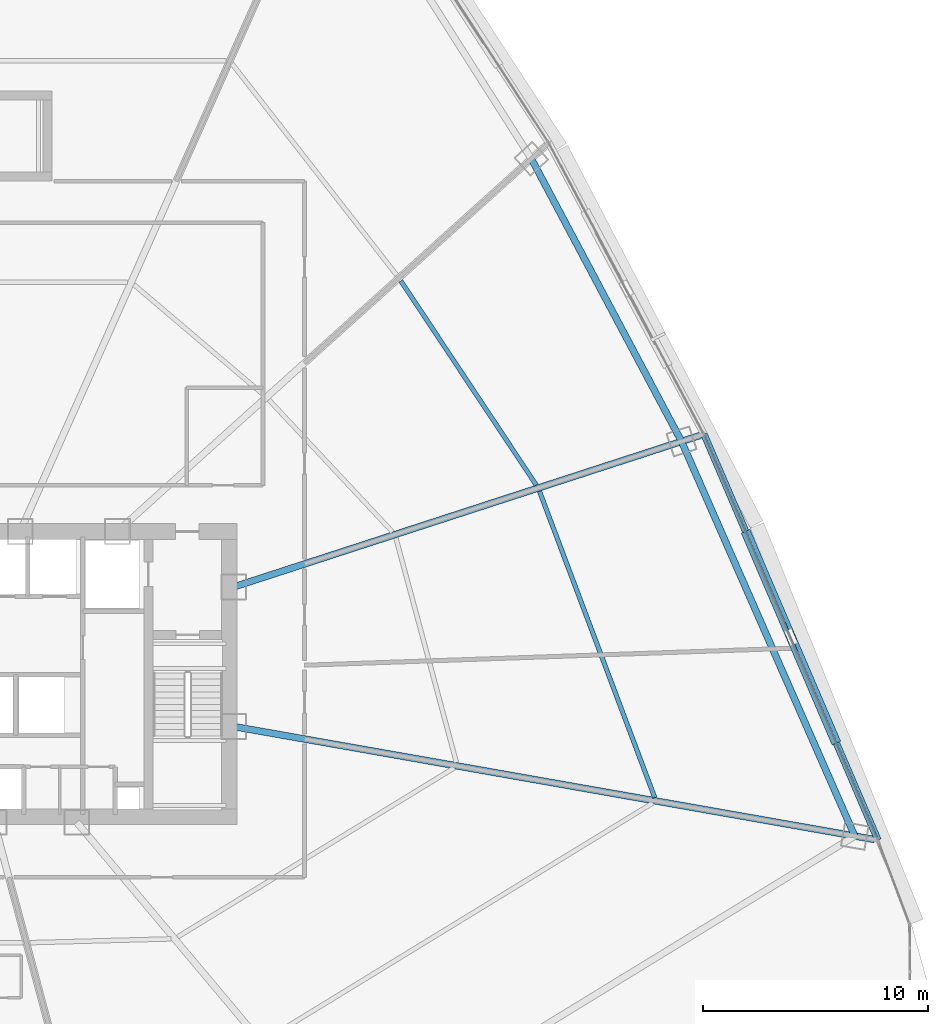
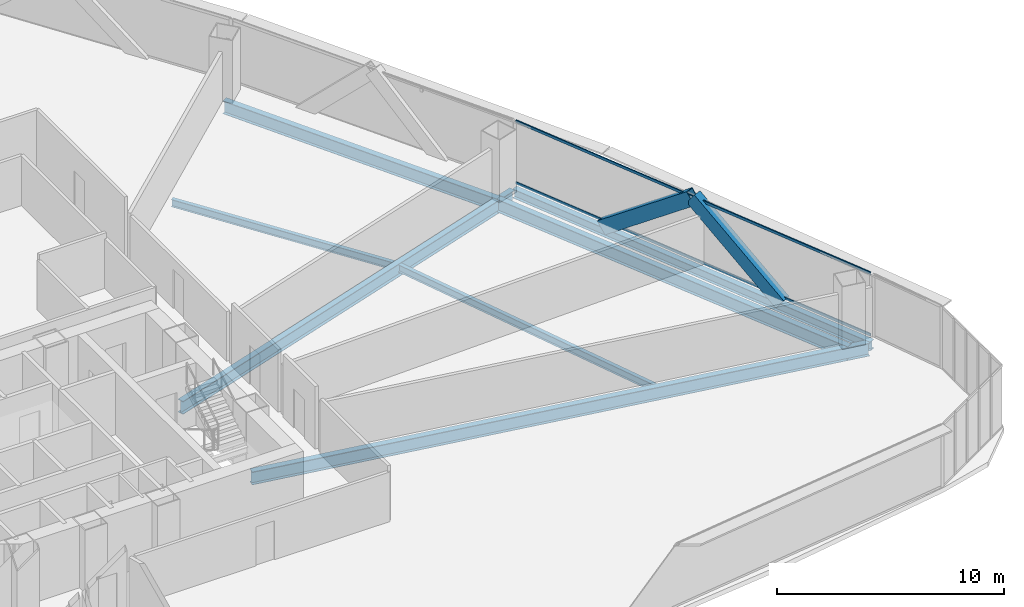
# One storey, part 23 of 40: 7 beams, 4 members, 1 element without a shape of its own.
"""IFC4 building model written with IfcOpenShell, lengths in metres."""

from ifc_helpers import new_model, si_unit, direction, frame, origin, origin_2d, place, context, subcontext, project, spatial, hollow_rectangle, i_section, extrude, source, transform, mapped, material, layer, layer_set, material_profile, profile_set, type_object, element, aggregate, save


model = new_model("IFC4")

# Units and contexts
model_context = context("Model", 3, precision=1e-05, world=origin(), true_north=direction((0.0, 1.0)))
body_context = subcontext(model_context, "Body", "Model", "MODEL_VIEW")
ifc_project = project(units=[si_unit("LENGTHUNIT", "METRE"), si_unit("AREAUNIT", "SQUARE_METRE"), si_unit("VOLUMEUNIT", "CUBIC_METRE"), si_unit("PLANEANGLEUNIT", "RADIAN"), si_unit("MASSUNIT", "GRAM", prefix="KILO"), si_unit("THERMODYNAMICTEMPERATUREUNIT", "KELVIN"), si_unit("POWERUNIT", "WATT")], contexts=[model_context])

# Site, building, storey
site_placement = place(None, origin())
site = spatial("IfcSite", under=ifc_project, at=site_placement, CompositionType="ELEMENT")
building_placement = place(site_placement, origin())
building = spatial("IfcBuilding", under=site, at=building_placement, Name="Yunzhuo Pagoda Commons", CompositionType="ELEMENT")
storey_placement = place(building_placement, frame((0.0, 0.0, 66.699951171875)))
storey = spatial("IfcBuildingStorey", under=building, at=storey_placement, Name="L17", CompositionType="ELEMENT", Elevation=66.699951171875)

# Beams
ifc_material_1 = material(Name="Structural steel Q355B", Category="steel")
ifc_material_profile_1 = material_profile(ifc_material_1, i_section(OverallWidth=0.300048828125, OverallDepth=0.699951171875, WebThickness=0.012939453125, FlangeThickness=0.02392578125, at=origin_2d()), Name="Structural steel Q355B")
ifc_profile_set_1 = profile_set([ifc_material_profile_1], Name="Structural steel Q355B")
beam_type_1 = type_object("IfcBeamType", Name="B-RG1 Beam HN 700x300x13x24", PredefinedType="BEAM", material=ifc_profile_set_1)
shared_shape_1 = source(origin(), body_context, "Body", "SweptSolid", [
    extrude(i_section(OverallWidth=0.300048828125, OverallDepth=0.699951171875, WebThickness=0.012939453125, FlangeThickness=0.02392578125, at=origin_2d()), origin(), (0.0, 0.0, 1.0), 19.18603515625),
])
beam_1_placement = place(storey_placement, frame((88.047607421875, 26.638427734375, -0.60986328125), z_axis=(-0.40196534204, 0.915654882474, 0.0), x_axis=(-0.915654882474, -0.40196534204, 0.0)))
element("IfcBeam", 1, at=beam_1_placement, inside=storey, type_object=beam_type_1, Name="L17 column-ring beam 5", PredefinedType="BEAM", context=body_context, shape_type="MappedRepresentation", body=[
    mapped(shared_shape_1, transform((0.0, 0.0, 0.0), scale=1.0)),
])
shared_shape_2 = source(origin(), body_context, "Body", "SweptSolid", [
    extrude(i_section(OverallWidth=0.300048828125, OverallDepth=0.699951171875, WebThickness=0.012939453125, FlangeThickness=0.02392578125, at=origin_2d()), origin(), (0.0, 0.0, 1.0), 14.25390625),
])
beam_2_placement = place(storey_placement, frame((80.33544921875, 44.206298828125, -0.60986328125), z_axis=(-0.469118073628, 0.883135455633, 0.0), x_axis=(-0.883135455633, -0.469118073628, 0.0)))
element("IfcBeam", 2, at=beam_2_placement, inside=storey, type_object=beam_type_1, Name="L17 column-ring beam 6", PredefinedType="BEAM", context=body_context, shape_type="MappedRepresentation", body=[
    mapped(shared_shape_2, transform((0.0, 0.0, 0.0), scale=1.0)),
])
ifc_material_profile_2 = material_profile(ifc_material_1, i_section(OverallWidth=0.199951171875, OverallDepth=0.39990234375, WebThickness=0.008056640625, FlangeThickness=0.012939453125, at=origin_2d()), Name="Structural steel Q355B")
ifc_profile_set_2 = profile_set([ifc_material_profile_2], Name="Structural steel Q355B")
beam_type_2 = type_object("IfcBeamType", Name="B-JS1 Joist HN 400x200x8x13", PredefinedType="JOIST", material=ifc_profile_set_2)
shared_shape_3 = source(origin(), body_context, "Body", "SweptSolid", [
    extrude(i_section(OverallWidth=0.199951171875, OverallDepth=0.39990234375, WebThickness=0.008056640625, FlangeThickness=0.012939453125, at=origin_2d()), origin(), (0.0, 0.0, 1.0), 14.571044921875),
])
beam_3_placement = place(storey_placement, frame((79.144287109375, 28.347412109375, -0.4599609375), z_axis=(-0.352208383632, 0.935921607027, 0.0), x_axis=(-0.935921607027, -0.352208383632, 0.0)))
element("IfcBeam", 3, at=beam_3_placement, inside=storey, type_object=beam_type_2, Name="L17 composite ring joist 2.5", PredefinedType="JOIST", context=body_context, shape_type="MappedRepresentation", body=[
    mapped(shared_shape_3, transform((0.0, 0.0, 0.0), scale=1.0)),
])
shared_shape_4 = source(origin(), body_context, "Body", "SweptSolid", [
    extrude(i_section(OverallWidth=0.199951171875, OverallDepth=0.39990234375, WebThickness=0.008056640625, FlangeThickness=0.012939453125, at=origin_2d()), origin(), (0.0, 0.0, 1.0), 10.904052734375),
])
beam_4_placement = place(storey_placement, frame((73.8681640625, 42.26611328125, -0.4599609375), z_axis=(-0.552916349928, 0.833236767061, 0.0), x_axis=(-0.833236767061, -0.552916349928, 0.0)))
element("IfcBeam", 4, at=beam_4_placement, inside=storey, type_object=beam_type_2, Name="L17 composite ring joist 2.6", PredefinedType="JOIST", context=body_context, shape_type="MappedRepresentation", body=[
    mapped(shared_shape_4, transform((0.0, 0.0, 0.0), scale=1.0)),
])
shared_shape_5 = source(origin(), body_context, "Body", "SweptSolid", [
    extrude(i_section(OverallWidth=0.300048828125, OverallDepth=0.699951171875, WebThickness=0.012939453125, FlangeThickness=0.02392578125, at=origin_2d()), origin(), (0.0, 0.0, 1.0), 28.96923828125),
])
beam_5_placement = place(storey_placement, frame((88.928955078125, 26.483154296875, -0.60986328125), z_axis=(-0.984808746464, 0.173642543427, 0.0), x_axis=(-0.173642543427, -0.984808746464, 0.0)))
element("IfcBeam", 5, at=beam_5_placement, inside=storey, type_object=beam_type_1, Name="L17 radial floor girder F2C1", PredefinedType="BEAM", context=body_context, shape_type="MappedRepresentation", body=[
    mapped(shared_shape_5, transform((0.0, 0.0, 0.0), scale=1.0)),
])
shared_shape_6 = source(origin(), body_context, "Body", "SweptSolid", [
    extrude(i_section(OverallWidth=0.300048828125, OverallDepth=0.699951171875, WebThickness=0.012939453125, FlangeThickness=0.02392578125, at=origin_2d()), origin(), (0.0, 0.0, 1.0), 21.8564453125),
])
beam_6_placement = place(storey_placement, frame((81.186767578125, 44.48291015625, -0.60986328125), z_axis=(-0.951058609715, -0.309010551415, 0.0), x_axis=(0.309010551415, -0.951058609715, 0.0)))
element("IfcBeam", 6, at=beam_6_placement, inside=storey, type_object=beam_type_1, Name="L17 radial floor girder F2C2", PredefinedType="BEAM", context=body_context, shape_type="MappedRepresentation", body=[
    mapped(shared_shape_6, transform((0.0, 0.0, 0.0), scale=1.0)),
])
ifc_material_profile_3 = material_profile(ifc_material_1, i_section(OverallWidth=0.300048828125, OverallDepth=0.488037109375, WebThickness=0.010986328125, FlangeThickness=0.01806640625, at=origin_2d()), Name="Structural steel Q355B")
ifc_profile_set_3 = profile_set([ifc_material_profile_3], Name="Structural steel Q355B")
beam_type_3 = type_object("IfcBeamType", Name="B-SP1 Beam HM 488x300x11x18", PredefinedType="BEAM", material=ifc_profile_set_3)
shared_shape_7 = source(origin(), body_context, "Body", "SweptSolid", [
    extrude(i_section(OverallWidth=0.300048828125, OverallDepth=0.488037109375, WebThickness=0.010986328125, FlangeThickness=0.01806640625, at=origin_2d()), origin(), (0.0, 0.0, 1.0), 19.665283203125),
])
beam_7_placement = place(storey_placement, frame((89.081787109375, 26.456298828125, -0.50390625), z_axis=(-0.39398372615, 0.919117415529, 0.0), x_axis=(-0.919117415529, -0.39398372615, 0.0)))
element("IfcBeam", 7, at=beam_7_placement, inside=storey, type_object=beam_type_3, Name="L17 facade edge spandrel beam F2.1", PredefinedType="BEAM", context=body_context, shape_type="MappedRepresentation", body=[
    mapped(shared_shape_7, transform((0.0, 0.0, 0.0), scale=1.0)),
])

# Members
ifc_material_2 = material(Name="Structural steel Q420B", Category="steel")
ifc_material_profile_4 = material_profile(ifc_material_2, hollow_rectangle(XDim=0.419921875, YDim=0.719970703125, WallThickness=0.028076171875, at=origin_2d()), Name="Structural steel Q420B")
ifc_profile_set_4 = profile_set([ifc_material_profile_4], Name="Structural steel Q420B")
member_type_1 = type_object("IfcMemberType", Name="M-DL1 Brace BOX 720x420x28", PredefinedType="BRACE", material=ifc_profile_set_4)
shared_shape_8 = source(origin(), body_context, "Body", "SweptSolid", [
    extrude(hollow_rectangle(XDim=0.419921875, YDim=0.719970703125, WallThickness=0.028076171875, at=origin_2d()), origin(), (0.0, 0.0, 1.0), 6.111328125),
])
member_1_placement = place(storey_placement, frame((83.27099609375, 40.01220703125, -0.260009765625), z_axis=(0.316949853853, -0.739403181872, 0.593991350762), x_axis=(0.919116774061, 0.393985222616, 0.0)))
element("IfcMember", 8, at=member_1_placement, inside=storey, type_object=member_type_1, Name="L17 facade diamond brace F2.1R", PredefinedType="BRACE", context=body_context, shape_type="MappedRepresentation", body=[
    mapped(shared_shape_8, transform((0.0, 0.0, 0.0), scale=1.0)),
])
shared_shape_9 = source(origin(), body_context, "Body", "SweptSolid", [
    extrude(hollow_rectangle(XDim=0.419921875, YDim=0.719970703125, WallThickness=0.028076171875, at=origin_2d()), origin(), (0.0, 0.0, 1.0), 6.111083984375),
])
member_2_placement = place(storey_placement, frame((87.144775390625, 30.97509765625, -0.260009765625), z_axis=(-0.316932641028, 0.739376325162, 0.594033964383), x_axis=(-0.919119340132, -0.393979236249, 0.0)))
element("IfcMember", 9, at=member_2_placement, inside=storey, type_object=member_type_1, Name="L17 facade diamond brace F2.1L", PredefinedType="BRACE", context=body_context, shape_type="MappedRepresentation", body=[
    mapped(shared_shape_9, transform((0.0, 0.0, 0.0), scale=1.0)),
])

# Curtain wall, members
ifc_material_3 = material(Name="Anodized aluminium 6063-T6", Category="aluminium")
ifc_layer = layer(ifc_material_3, 0.1650390625)
ifc_layer_set = layer_set([ifc_layer], Name="Anodized aluminium 6063-T6")
curtain_wall_type = type_object("IfcCurtainWallType", Name="CW-LOW Low-Zone Ribbon Curtain Wall", PredefinedType="NOTDEFINED", material=ifc_layer_set)
curtain_wall_placement = place(storey_placement, origin())
curtain_wall = element("IfcCurtainWall", 10, at=curtain_wall_placement, inside=storey, type_object=curtain_wall_type, Name="L17 curtain wall CW-L17-F2B2", PredefinedType="NOTDEFINED")
ifc_material_profile_5 = material_profile(ifc_material_3, hollow_rectangle(XDim=0.06005859375, YDim=0.139892578125, WallThickness=0.00341796875, at=origin_2d()), Name="Anodized aluminium 6063-T6")
ifc_profile_set_5 = profile_set([ifc_material_profile_5], Name="Anodized aluminium 6063-T6")
member_type_2 = type_object("IfcMemberType", Name="CW-LOW-T Transom RHS 140x60x3.5", PredefinedType="USERDEFINED", material=ifc_profile_set_5)
shared_shape_10 = source(origin(), body_context, "Body", "SweptSolid", [
    extrude(hollow_rectangle(XDim=0.06005859375, YDim=0.139892578125, WallThickness=0.00341796875, at=origin_2d()), origin(), (0.0, 0.0, 1.0), 19.535400390625),
])
member_3_placement = place(storey_placement, frame((89.05615234375, 26.515869140625, 0.0302734375), z_axis=(-0.393979629868, 0.919119171408, 0.0), x_axis=(-0.919119171408, -0.393979629868, 0.0)))
member_3 = element("IfcMember", 11, at=member_3_placement, type_object=member_type_2, Name="CW transom 1.1", ObjectType="TRANSOM", PredefinedType="USERDEFINED", context=body_context, shape_type="MappedRepresentation", body=[
    mapped(shared_shape_10, transform((0.0, 0.0, 0.0), scale=1.0)),
])
member_4_placement = place(storey_placement, frame((89.05615234375, 26.515869140625, 3.340087890625), z_axis=(-0.393979629868, 0.919119171408, 0.0), x_axis=(-0.919119171408, -0.393979629868, 0.0)))
member_4 = element("IfcMember", 12, at=member_4_placement, type_object=member_type_2, Name="CW transom 1.2", ObjectType="TRANSOM", PredefinedType="USERDEFINED", context=body_context, shape_type="MappedRepresentation", body=[
    mapped(shared_shape_10, transform((0.0, 0.0, 0.0), scale=1.0)),
])
aggregate(curtain_wall, [member_3, member_4])

save(model, "model.ifc")
